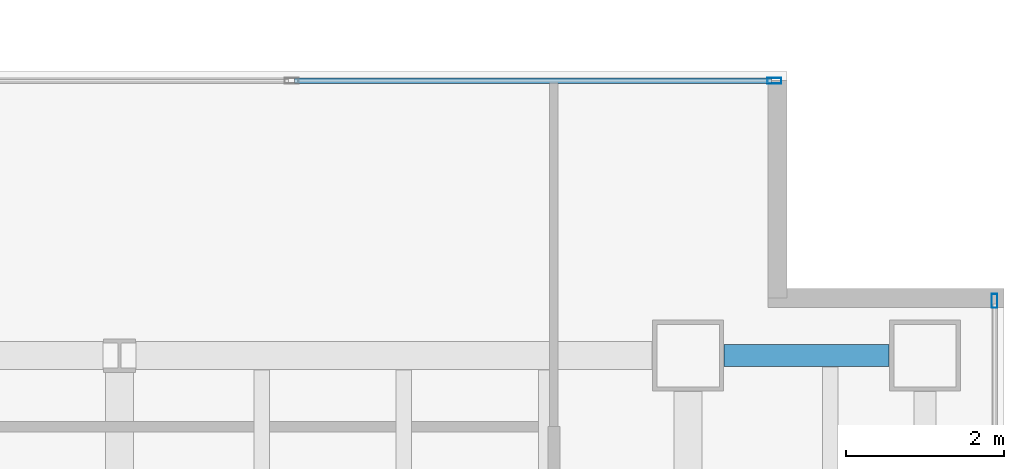
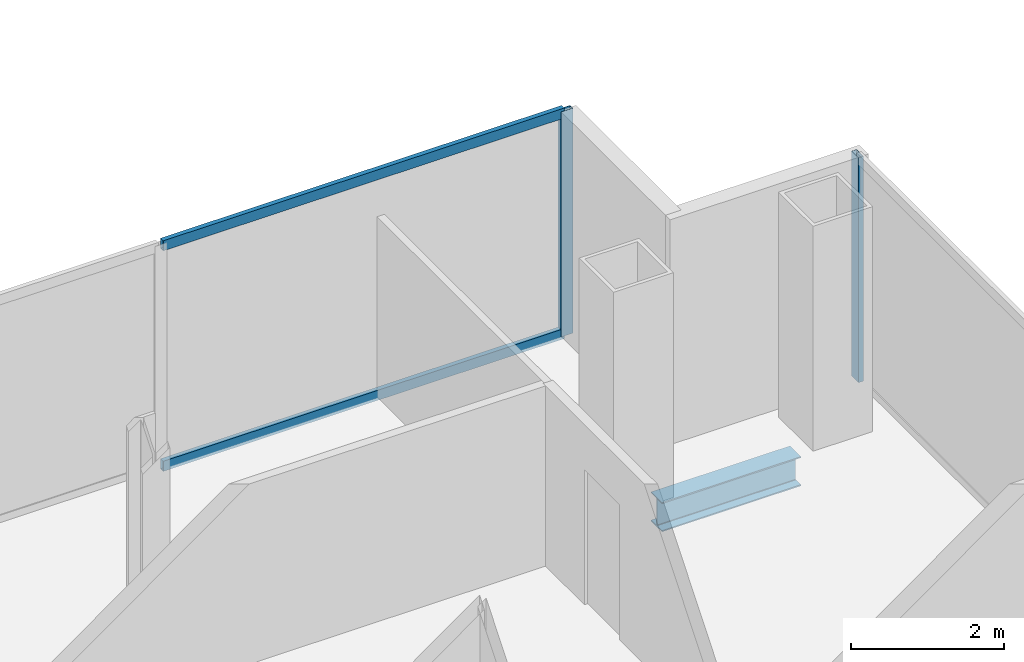
# One storey, part 15 of 23: 4 members, 1 beam, 2 elements without a shape of their own.
"""IFC4 building model written with IfcOpenShell, lengths in metres."""

import ifcopenshell
import ifcopenshell.guid

model = None  # the IFC model being written
_history = None  # IfcOwnerHistory: only IFC2X3 demands one
_inside = {}  # id of a spatial element -> (the spatial element, [elements in it])
_under = {}  # id of a project, library or spatial element -> (it, [spatial elements below it])
_declared = {}  # id of a project -> (the project, [libraries it declares])
_typed = {}  # id of a type object -> (the type object, [elements of that type])
_made_of = {}  # id of a material, layer set ... -> (it, [elements and type objects made of it])


def new_model(schema):
    """Start an empty IFC model of exactly this schema.

    Asked for "IFC4X3", IfcOpenShell would pick the latest addendum, in which some entities
    have other attributes; the version numbers below select the first issue.
    IFC2X3 requires an IfcOwnerHistory on every rooted entity: one is made here for all.
    """
    global model, _history
    if schema == "IFC4X3":
        model = ifcopenshell.file(schema_version=(4, 3, 0, 0))
    else:
        model = ifcopenshell.file(schema=schema)
    _inside.clear()
    _under.clear()
    _declared.clear()
    _typed.clear()
    _made_of.clear()
    _history = None
    if model.schema == "IFC2X3":
        org = make("IfcOrganization", Name="unknown")
        user = make(
            "IfcPersonAndOrganization",
            ThePerson=make("IfcPerson", FamilyName="unknown"),
            TheOrganization=org,
        )
        app = make(
            "IfcApplication",
            ApplicationDeveloper=org,
            Version="unknown",
            ApplicationFullName="unknown",
            ApplicationIdentifier="unknown",
        )
        _history = make(
            "IfcOwnerHistory",
            OwningUser=user,
            OwningApplication=app,
            ChangeAction="ADDED",
            CreationDate=0,
        )
    return model


def make(cls, **values):
    """One entity of the class cls with the attributes given. An attribute that is None is left unset."""
    return model.create_entity(
        cls, **{name: value for name, value in values.items() if value is not None}
    )


def rooted(cls, **values):
    """An entity with a GlobalId (a new one), such as an element, a storey or a relation."""
    return make(cls, GlobalId=ifcopenshell.guid.new(), OwnerHistory=_history, **values)


def si_unit(unit_type, name, prefix=None):
    """IfcSIUnit, for example si_unit("LENGTHUNIT", "METRE", prefix="MILLI")."""
    return make("IfcSIUnit", UnitType=unit_type, Prefix=prefix, Name=name)


def assignment(units):
    """IfcUnitAssignment: the units of a project."""
    return None if units is None else make("IfcUnitAssignment", Units=units)


def point(xyz):
    """IfcCartesianPoint."""
    return None if xyz is None else make("IfcCartesianPoint", Coordinates=xyz)


def direction(xyz):
    """IfcDirection."""
    return None if xyz is None else make("IfcDirection", DirectionRatios=xyz)


def frame(location, z_axis=None, x_axis=None):
    """IfcAxis2Placement3D, a coordinate frame: its origin and axes. An axis left out is left unset."""
    return make(
        "IfcAxis2Placement3D",
        Location=point(location),
        Axis=direction(z_axis),
        RefDirection=direction(x_axis),
    )


def frame_2d(location, x_axis=None):
    """IfcAxis2Placement2D, a coordinate frame in the plane: its origin and x axis."""
    return make(
        "IfcAxis2Placement2D", Location=point(location), RefDirection=direction(x_axis)
    )


def origin():
    """The frame at (0, 0, 0) with its axes left unset."""
    return frame((0.0, 0.0, 0.0))


def origin_2d():
    """The frame at (0, 0) in the plane with its x axis left unset."""
    return frame_2d((0.0, 0.0))


def place(relative_to, where):
    """IfcLocalPlacement: puts the frame where relative to a parent placement (None: the world)."""
    return make(
        "IfcLocalPlacement", PlacementRelTo=relative_to, RelativePlacement=where
    )


def context(
    kind, dimensions, precision=None, world=None, true_north=None, identifier=None
):
    """IfcGeometricRepresentationContext, for example the 3D "Model" context."""
    return make(
        "IfcGeometricRepresentationContext",
        ContextIdentifier=identifier,
        ContextType=kind,
        CoordinateSpaceDimension=dimensions,
        Precision=precision,
        WorldCoordinateSystem=world,
        TrueNorth=true_north,
    )


def subcontext(parent, identifier, kind, view, scale=None):
    """IfcGeometricRepresentationSubContext, for example "Body" below "Model"."""
    return make(
        "IfcGeometricRepresentationSubContext",
        ContextIdentifier=identifier,
        ContextType=kind,
        ParentContext=parent,
        TargetScale=scale,
        TargetView=view,
    )


def project(units=None, contexts=None):
    """IfcProject with its units and contexts."""
    return rooted(
        "IfcProject",
        Name="project",
        RepresentationContexts=contexts,
        UnitsInContext=assignment(units),
    )


def spatial(cls, under=None, at=None, **own):
    """A site, building, storey or space (cls), placed at a placement, below another one or the project."""
    s = rooted(cls, ObjectPlacement=at, **own)
    if under is not None:
        _under.setdefault(under.id(), (under, []))[1].append(s)
    return s


def profile(cls, at=None, kind="AREA", **sizes):
    """A parametric profile (cls). Its sizes go by their IFC names, for example OverallWidth=200.0."""
    return make(cls, ProfileType=kind, Position=at, **sizes)


def hollow_rectangle(**sizes):
    """IfcRectangleHollowProfileDef."""
    return profile("IfcRectangleHollowProfileDef", **sizes)


def i_section(**sizes):
    """IfcIShapeProfileDef."""
    return profile("IfcIShapeProfileDef", **sizes)


def extrude(swept, where, along, depth):
    """IfcExtrudedAreaSolid: the profile swept, set in the frame where, extruded along a direction by depth."""
    return make(
        "IfcExtrudedAreaSolid",
        SweptArea=swept,
        Position=where,
        ExtrudedDirection=direction(along),
        Depth=depth,
    )


def shape(context_of_items, identifier, shape_type, items):
    """IfcShapeRepresentation: the items that make up one representation, for example the "Body"."""
    return make(
        "IfcShapeRepresentation",
        ContextOfItems=context_of_items,
        RepresentationIdentifier=identifier,
        RepresentationType=shape_type,
        Items=items,
    )


def material(Name=None, Category=None):
    """IfcMaterial."""
    return make("IfcMaterial", Name=Name, Category=Category)


def material_profile(
    of_material, cross_section, Name=None, Category=None, Priority=None
):
    """IfcMaterialProfile: a cross section and its material."""
    return make(
        "IfcMaterialProfile",
        Name=Name,
        Material=of_material,
        Profile=cross_section,
        Priority=Priority,
        Category=Category,
    )


def profile_set(profiles, Name=None, composite=None):
    """IfcMaterialProfileSet."""
    return make(
        "IfcMaterialProfileSet",
        Name=Name,
        MaterialProfiles=profiles,
        CompositeProfile=composite,
    )


def made_of(thing, what):
    """Note that an element or type object is made of a material, layer set ...; save() writes the relation."""
    if what is not None:
        _made_of.setdefault(what.id(), (what, []))[1].append(thing)
    return thing


def type_object(cls, material=None, **own):
    """A type object (cls), such as IfcWallType, which elements share."""
    return made_of(rooted(cls, **own), material)


def element(
    cls,
    number,
    at=None,
    inside=None,
    cuts=None,
    type_object=None,
    material=None,
    context=None,
    identifier="Body",
    shape_type=None,
    held_by="IfcProductDefinitionShape",
    body=None,
    shapes=None,
    **own,
):
    """One element of the class cls, such as IfcWall. Its Tag is "e" and its number.

    at: its placement. inside: the storey or other place that contains it. cuts: it is an
    opening in that element (IfcRelVoidsElement). A single representation is given by context,
    identifier, shape_type and body (its items); several are given by shapes. held_by: the class
    of the entity that holds the representations. save() writes the other relations.
    """
    e = rooted(cls, Tag="e%d" % number, ObjectPlacement=at, **own)
    if body is not None:
        shapes = [shape(context, identifier, shape_type, body)]
    if shapes is not None:
        e.Representation = make(held_by, Representations=shapes)
    if inside is not None:
        _inside.setdefault(inside.id(), (inside, []))[1].append(e)
    if cuts is not None:
        rooted(
            "IfcRelVoidsElement", RelatingBuildingElement=cuts, RelatedOpeningElement=e
        )
    if type_object is not None:
        _typed.setdefault(type_object.id(), (type_object, []))[1].append(e)
    return made_of(e, material)


def aggregate(whole, parts):
    """IfcRelAggregates: a whole, such as a stair, and the parts it consists of."""
    return rooted("IfcRelAggregates", RelatingObject=whole, RelatedObjects=parts)


def save(model, path):
    """Write the relations noted so far, then the file.

    IfcRelAggregates (storeys below a building ...), IfcRelContainedInSpatialStructure (elements
    in a storey), IfcRelDefinesByType, IfcRelAssociatesMaterial and IfcRelDeclares: one each for
    every whole, place, type object, material and project.
    """
    for whole, parts in _under.values():
        aggregate(whole, parts)
    for where, things in _inside.values():
        rooted(
            "IfcRelContainedInSpatialStructure",
            RelatedElements=things,
            RelatingStructure=where,
        )
    for kind, things in _typed.values():
        rooted("IfcRelDefinesByType", RelatedObjects=things, RelatingType=kind)
    for what, things in _made_of.values():
        rooted("IfcRelAssociatesMaterial", RelatedObjects=things, RelatingMaterial=what)
    for by, libraries in _declared.values():
        rooted("IfcRelDeclares", RelatingContext=by, RelatedDefinitions=libraries)
    model.write(path)


model = new_model("IFC4")

# Units and contexts
model_context = context("Model", 3, precision=1e-05, world=origin(), true_north=direction((0.0, 1.0)))
body_context = subcontext(model_context, "Body", "Model", "MODEL_VIEW")
ifc_project = project(units=[si_unit("LENGTHUNIT", "METRE"), si_unit("AREAUNIT", "SQUARE_METRE"), si_unit("VOLUMEUNIT", "CUBIC_METRE"), si_unit("PLANEANGLEUNIT", "RADIAN"), si_unit("MASSUNIT", "GRAM", prefix="KILO")], contexts=[model_context])

# Site, building, storey
site_placement = place(None, origin())
site = spatial("IfcSite", under=ifc_project, at=site_placement, CompositionType="ELEMENT")
building_placement = place(site_placement, origin())
building = spatial("IfcBuilding", under=site, at=building_placement, Name="Cobrela Telecom Tower", CompositionType="ELEMENT")
storey_placement = place(building_placement, frame((0.0, 0.0, 125.300048828125)))
storey = spatial("IfcBuildingStorey", under=building, at=storey_placement, Name="L31", CompositionType="ELEMENT", Elevation=125.300048828125)

# Beam
ifc_material_1 = material(Name="Steel ASTM A992 Grade 50", Category="steel")
ifc_material_profile_1 = material_profile(ifc_material_1, i_section(OverallWidth=0.281982421875, OverallDepth=0.467041015625, WebThickness=0.01220703125, FlangeThickness=0.01953125, FilletRadius=0.012939453125, at=origin_2d()), Name="W18X86")
ifc_profile_set_1 = profile_set([ifc_material_profile_1], Name="Steel ASTM A992 Grade 50")
beam_type = type_object("IfcBeamType", Name="BM-SPAND-04", PredefinedType="SPANDREL", material=ifc_profile_set_1)
beam_placement = place(storey_placement, frame((43.655029296875, 21.60009765625, -0.503662109375), z_axis=(1.0, 0.0, 0.0), x_axis=(0.0, 1.0, 0.0)))
element("IfcBeam", 1, at=beam_placement, inside=storey, type_object=beam_type, Name="L31 Perimeter Spandrel X22", PredefinedType="SPANDREL", context=body_context, shape_type="SweptSolid", body=[
    extrude(i_section(OverallWidth=0.281982421875, OverallDepth=0.467041015625, WebThickness=0.01220703125, FlangeThickness=0.01953125, FilletRadius=0.012939453125, at=origin_2d()), origin(), (0.0, 0.0, 1.0), 2.090087890625),
])

# Curtain wall, member
ifc_material_2 = material(Name="Anodized Bronze Aluminium 6063-T6", Category="aluminium")
curtain_wall_type = type_object("IfcCurtainWallType", Name="CW-SYS-TEL", PredefinedType="USERDEFINED", material=ifc_material_2)
curtain_wall_1_placement = place(storey_placement, origin())
curtain_wall_1 = element("IfcCurtainWall", 2, at=curtain_wall_1_placement, inside=storey, type_object=curtain_wall_type, Name="L31 Unitised Bronze Curtain Wall 11", ObjectType="UNITISED CURTAIN WALL", PredefinedType="USERDEFINED")
ifc_material_profile_2 = material_profile(ifc_material_2, hollow_rectangle(XDim=0.074951171875, YDim=0.179931640625, WallThickness=0.00390625, at=origin_2d()), Name="ALU 75x180x4")
ifc_profile_set_2 = profile_set([ifc_material_profile_2], Name="Anodized Bronze Aluminium 6063-T6")
member_type_1 = type_object("IfcMemberType", Name="CW-SYS-TEL-MUL", PredefinedType="MULLION", material=ifc_profile_set_2)
member_1_placement = place(storey_placement, frame((44.29248046875, 25.080078125, 0.0), z_axis=(0.0, 0.0, 1.0), x_axis=(0.0, 1.0, 0.0)))
member_1 = element("IfcMember", 3, at=member_1_placement, type_object=member_type_1, Name="CW-TEL mullion 4", PredefinedType="MULLION", context=body_context, shape_type="SweptSolid", body=[
    extrude(hollow_rectangle(XDim=0.074951171875, YDim=0.179931640625, WallThickness=0.00390625, at=origin_2d()), origin(), (0.0, 0.0, 1.0), 3.579833984375),
])

curtain_wall_2_placement = place(storey_placement, origin())
curtain_wall_2 = element("IfcCurtainWall", 4, at=curtain_wall_2_placement, inside=storey, type_object=curtain_wall_type, Name="L31 Unitised Bronze Curtain Wall 14", ObjectType="UNITISED CURTAIN WALL", PredefinedType="USERDEFINED")
member_2_placement = place(storey_placement, frame((47.080078125, 22.29248046875, 0.0), z_axis=(0.0, 0.0, 1.0), x_axis=(1.0, 0.0, 0.0)))
member_2 = element("IfcMember", 5, at=member_2_placement, type_object=member_type_1, Name="CW-TEL mullion 1", PredefinedType="MULLION", context=body_context, shape_type="SweptSolid", body=[
    extrude(hollow_rectangle(XDim=0.074951171875, YDim=0.179931640625, WallThickness=0.00390625, at=origin_2d()), origin(), (0.0, 0.0, 1.0), 3.579833984375),
])
aggregate(curtain_wall_2, [member_2])

# Member
ifc_material_profile_3 = material_profile(ifc_material_2, hollow_rectangle(XDim=0.070068359375, YDim=0.159912109375, WallThickness=0.00390625, at=origin_2d()), Name="ALU 70x160x4")
ifc_profile_set_3 = profile_set([ifc_material_profile_3], Name="Anodized Bronze Aluminium 6063-T6")
member_type_2 = type_object("IfcMemberType", Name="CW-SYS-TEL-TRN", PredefinedType="USERDEFINED", material=ifc_profile_set_3)
member_3_placement = place(storey_placement, frame((38.217529296875, 25.080078125, 0.034912109375), z_axis=(1.0, 0.0, 0.0), x_axis=(0.0, 1.0, 0.0)))
member_3 = element("IfcMember", 6, at=member_3_placement, type_object=member_type_2, Name="CW-TEL transom 3.1", ObjectType="TRANSOM", PredefinedType="USERDEFINED", context=body_context, shape_type="SweptSolid", body=[
    extrude(hollow_rectangle(XDim=0.070068359375, YDim=0.159912109375, WallThickness=0.00390625, at=origin_2d()), origin(), (0.0, 0.0, 1.0), 6.037353515625),
])

member_4_placement = place(storey_placement, frame((38.217529296875, 25.080078125, 3.544921875), z_axis=(1.0, 0.0, 0.0), x_axis=(0.0, 1.0, 0.0)))
member_4 = element("IfcMember", 7, at=member_4_placement, type_object=member_type_2, Name="CW-TEL transom 3.2", ObjectType="TRANSOM", PredefinedType="USERDEFINED", context=body_context, shape_type="SweptSolid", body=[
    extrude(hollow_rectangle(XDim=0.070068359375, YDim=0.159912109375, WallThickness=0.00390625, at=origin_2d()), origin(), (0.0, 0.0, 1.0), 6.037353515625),
])

aggregate(curtain_wall_1, [member_1, member_3, member_4])

save(model, "model.ifc")
